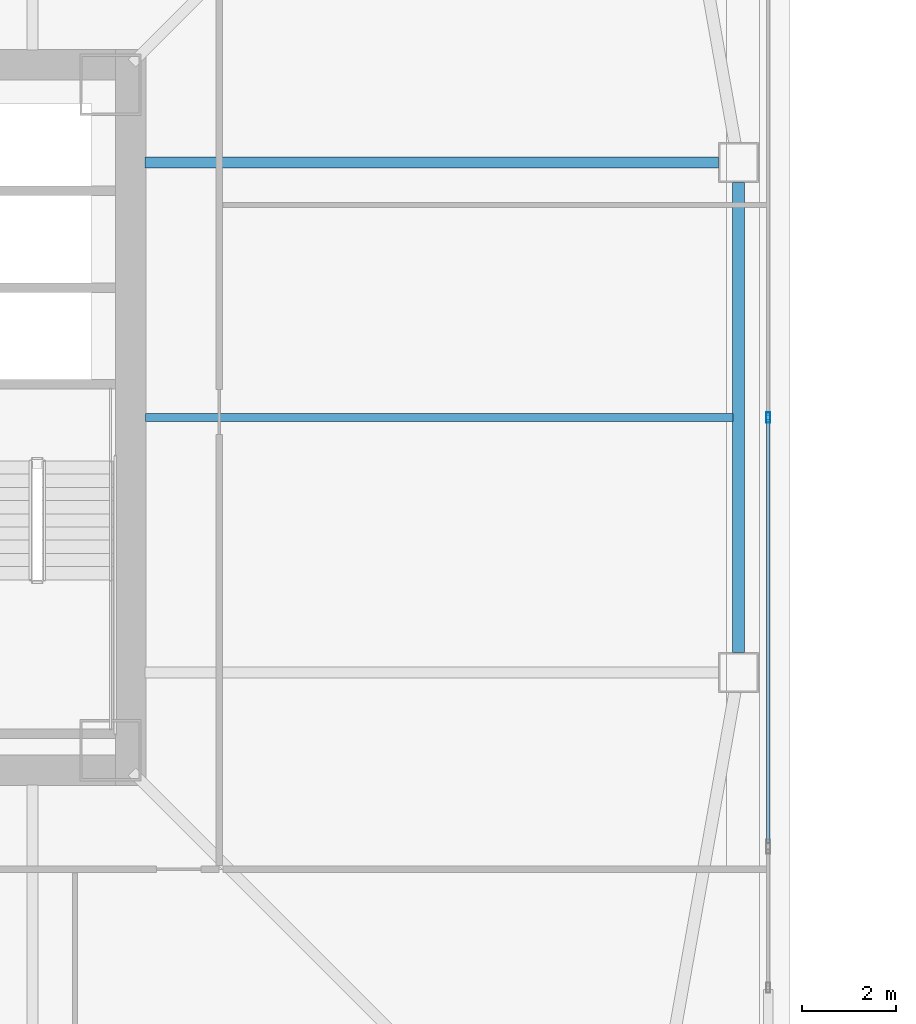
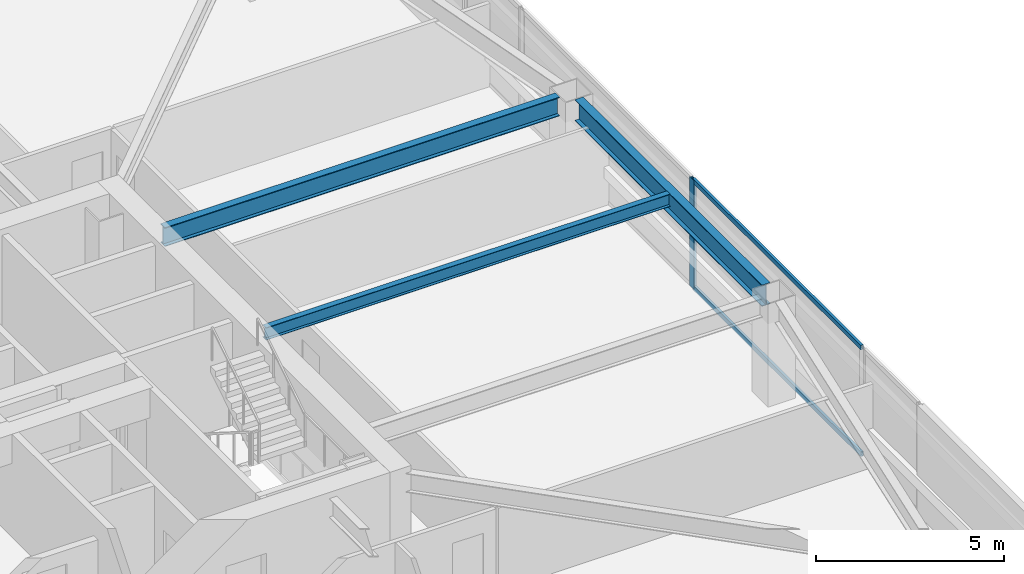
# One storey, part 10 of 44: 3 beams, 3 members, 1 element without a shape of its own.
"""IFC4 building model written with IfcOpenShell, lengths in metres."""

from ifc_helpers import new_model, si_unit, direction, frame, origin, origin_2d, place, context, subcontext, project, spatial, hollow_rectangle, i_section, extrude, material, material_profile, profile_set, type_object, element, aggregate, save


model = new_model("IFC4")

# Units and contexts
model_context = context("Model", 3, precision=1e-05, world=origin(), true_north=direction((0.0, 1.0)))
body_context = subcontext(model_context, "Body", "Model", "MODEL_VIEW")
ifc_project = project(units=[si_unit("LENGTHUNIT", "METRE"), si_unit("AREAUNIT", "SQUARE_METRE"), si_unit("VOLUMEUNIT", "CUBIC_METRE"), si_unit("PLANEANGLEUNIT", "RADIAN"), si_unit("MASSUNIT", "GRAM", prefix="KILO")], contexts=[model_context])

# Site, building, storey
site_placement = place(None, origin())
site = spatial("IfcSite", under=ifc_project, at=site_placement, CompositionType="ELEMENT")
building_placement = place(site_placement, origin())
building = spatial("IfcBuilding", under=site, at=building_placement, Name="Tashvorn Skyway Center", CompositionType="ELEMENT")
storey_placement = place(building_placement, frame((0.0, 0.0, 74.300048828125)))
storey = spatial("IfcBuildingStorey", under=building, at=storey_placement, Name="L19", CompositionType="ELEMENT", Elevation=74.300048828125)

# Beams
ifc_material_1 = material(Name="Steel ASTM A992 Grade 50", Category="steel")
ifc_material_profile_1 = material_profile(ifc_material_1, i_section(OverallWidth=0.22998046875, OverallDepth=0.616943359375, WebThickness=0.01318359375, FlangeThickness=0.022216796875, at=origin_2d()), Name="W24X94")
ifc_profile_set_1 = profile_set([ifc_material_profile_1], Name="Steel ASTM A992 Grade 50")
beam_type_1 = type_object("IfcBeamType", Name="BM-BEAM-W24X94", PredefinedType="BEAM", material=ifc_profile_set_1)
beam_1_placement = place(storey_placement, frame((61.929931640625, 37.39990234375, 3.04150390625), z_axis=(-1.0, 0.0, 0.0), x_axis=(0.0, -1.0, 0.0)))
element("IfcBeam", 1, at=beam_1_placement, inside=storey, type_object=beam_type_1, Name="Tower 1 L19 Primary Floor Girder FC-E2", PredefinedType="BEAM", context=body_context, shape_type="SweptSolid", body=[
    extrude(i_section(OverallWidth=0.22998046875, OverallDepth=0.616943359375, WebThickness=0.01318359375, FlangeThickness=0.022216796875, at=origin_2d()), origin(), (0.0, 0.0, 1.0), 12.14990234375),
])
ifc_material_profile_2 = material_profile(ifc_material_1, i_section(OverallWidth=0.177978515625, OverallDepth=0.406005859375, WebThickness=0.0078125, FlangeThickness=0.0126953125, at=origin_2d()), Name="W16X40")
ifc_profile_set_2 = profile_set([ifc_material_profile_2], Name="Steel ASTM A992 Grade 50")
beam_type_2 = type_object("IfcBeamType", Name="BM-JOIST-W16X40", PredefinedType="JOIST", material=ifc_profile_set_2)
beam_2_placement = place(storey_placement, frame((49.7900390625, 32.0, 3.14697265625), z_axis=(1.0, 0.0, 0.0), x_axis=(0.0, 1.0, 0.0)))
element("IfcBeam", 2, at=beam_2_placement, inside=storey, type_object=beam_type_2, Name="Tower 1 L19 Secondary Composite Joist JE", PredefinedType="JOIST", context=body_context, shape_type="SweptSolid", body=[
    extrude(i_section(OverallWidth=0.177978515625, OverallDepth=0.406005859375, WebThickness=0.0078125, FlangeThickness=0.0126953125, at=origin_2d()), origin(), (0.0, 0.0, 1.0), 12.43994140625),
])
ifc_material_profile_3 = material_profile(ifc_material_1, i_section(OverallWidth=0.256103515625, OverallDepth=0.693115234375, WebThickness=0.014404296875, FlangeThickness=0.023681640625, at=origin_2d()), Name="W27X114")
ifc_profile_set_3 = profile_set([ifc_material_profile_3], Name="Steel ASTM A992 Grade 50")
beam_type_3 = type_object("IfcBeamType", Name="BM-SPANDREL-W27X114", PredefinedType="SPANDREL", material=ifc_profile_set_3)
beam_3_placement = place(storey_placement, frame((62.35009765625, 27.02001953125, 3.00341796875), z_axis=(0.0, 1.0, 0.0), x_axis=(-1.0, 0.0, 0.0)))
element("IfcBeam", 3, at=beam_3_placement, inside=storey, type_object=beam_type_3, Name="Tower 1 L19 Spandrel Beam 05", PredefinedType="SPANDREL", context=body_context, shape_type="SweptSolid", body=[
    extrude(i_section(OverallWidth=0.256103515625, OverallDepth=0.693115234375, WebThickness=0.014404296875, FlangeThickness=0.023681640625, at=origin_2d()), origin(), (0.0, 0.0, 1.0), 9.9599609375),
])

# Curtain wall, members
ifc_material_2 = material(Name="Thermally broken bronze-anodized aluminium 6063-T6", Category="aluminium")
curtain_wall_type = type_object("IfcCurtainWallType", Name="CW-CW-Z2", PredefinedType="NOTDEFINED", material=ifc_material_2)
curtain_wall_placement = place(storey_placement, origin())
curtain_wall = element("IfcCurtainWall", 4, at=curtain_wall_placement, inside=storey, type_object=curtain_wall_type, Name="Tower 1 L19 East Unitised Curtain Wall Glazing Group 2", PredefinedType="NOTDEFINED")
ifc_material_profile_4 = material_profile(ifc_material_2, hollow_rectangle(XDim=0.080078125, YDim=0.219970703125, WallThickness=0.0048828125, at=origin_2d()), Name="ALU-MULL-80x220")
ifc_profile_set_4 = profile_set([ifc_material_profile_4], Name="Thermally broken bronze-anodized aluminium 6063-T6")
member_type_1 = type_object("IfcMemberType", Name="CWM-CW-Z2", PredefinedType="MULLION", material=ifc_profile_set_4)
member_1_placement = place(storey_placement, frame((62.97998046875, 32.0, 0.0), z_axis=(0.0, 0.0, 1.0), x_axis=(1.0, 0.0, 0.0)))
member_1 = element("IfcMember", 5, at=member_1_placement, type_object=member_type_1, Name="CW-Z2 mullion 2", PredefinedType="MULLION", context=body_context, shape_type="SweptSolid", body=[
    extrude(hollow_rectangle(XDim=0.080078125, YDim=0.219970703125, WallThickness=0.0048828125, at=origin_2d()), origin(), (0.0, 0.0, 1.0), 3.550048828125),
])
ifc_material_profile_5 = material_profile(ifc_material_2, hollow_rectangle(XDim=0.080078125, YDim=0.14990234375, WallThickness=0.00439453125, at=origin_2d()), Name="ALU-TRAN-80x150")
ifc_profile_set_5 = profile_set([ifc_material_profile_5], Name="Thermally broken bronze-anodized aluminium 6063-T6")
member_type_2 = type_object("IfcMemberType", Name="CWT-CW-Z2", PredefinedType="USERDEFINED", material=ifc_profile_set_5)
member_2_placement = place(storey_placement, frame((62.97998046875, 31.9599609375, 0.0400390625), z_axis=(0.0, -1.0, 0.0), x_axis=(1.0, 0.0, 0.0)))
member_2 = element("IfcMember", 6, at=member_2_placement, type_object=member_type_2, Name="CW-Z2 transom 2.1", ObjectType="TRANSOM", PredefinedType="USERDEFINED", context=body_context, shape_type="SweptSolid", body=[
    extrude(hollow_rectangle(XDim=0.080078125, YDim=0.14990234375, WallThickness=0.00439453125, at=origin_2d()), origin(), (0.0, 0.0, 1.0), 8.969970703125),
])
member_3_placement = place(storey_placement, frame((62.97998046875, 31.9599609375, 3.510009765625), z_axis=(0.0, -1.0, 0.0), x_axis=(1.0, 0.0, 0.0)))
member_3 = element("IfcMember", 7, at=member_3_placement, type_object=member_type_2, Name="CW-Z2 transom 2.2", ObjectType="TRANSOM", PredefinedType="USERDEFINED", context=body_context, shape_type="SweptSolid", body=[
    extrude(hollow_rectangle(XDim=0.080078125, YDim=0.14990234375, WallThickness=0.00439453125, at=origin_2d()), origin(), (0.0, 0.0, 1.0), 8.969970703125),
])
aggregate(curtain_wall, [member_1, member_2, member_3])

save(model, "model.ifc")
